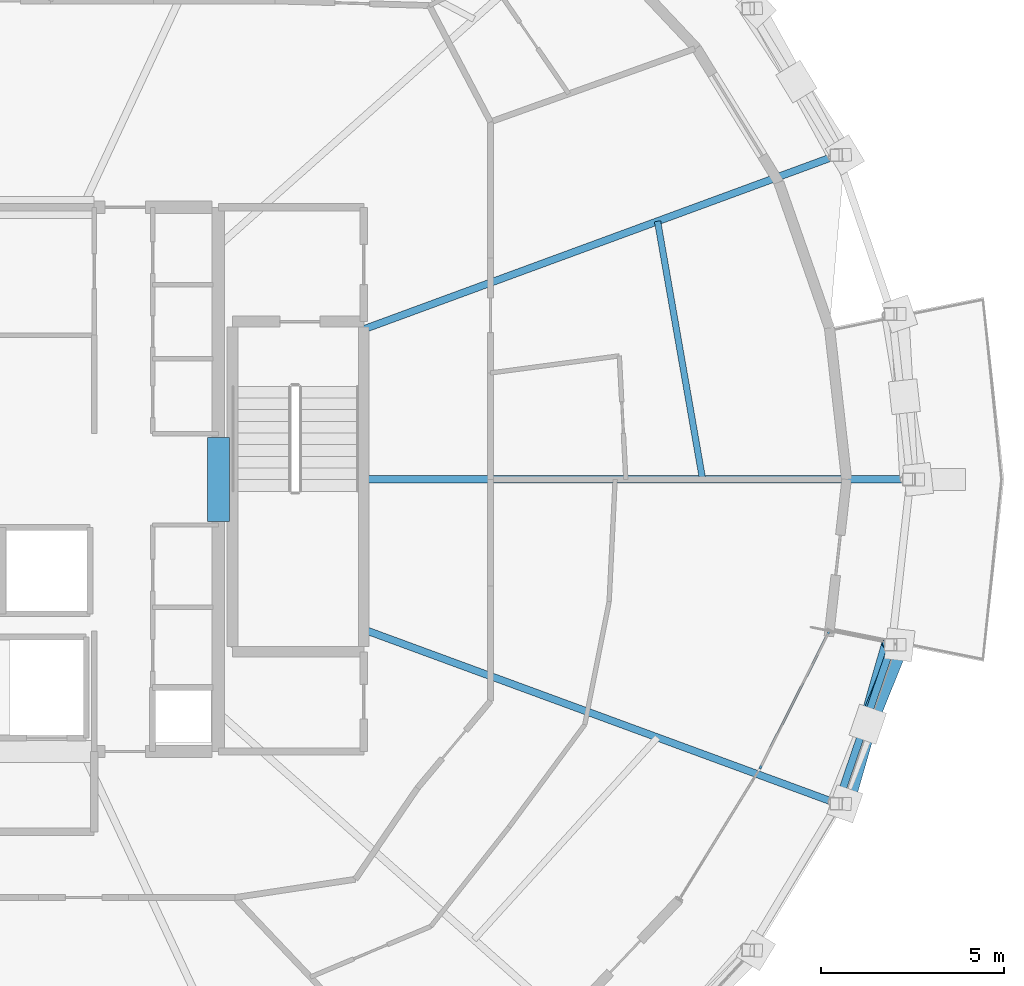
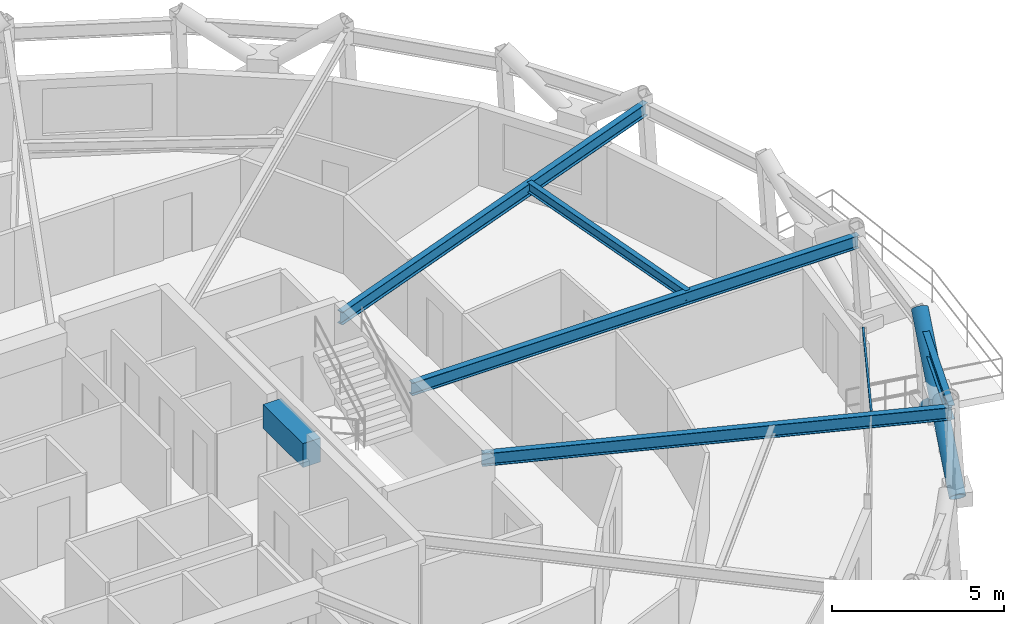
# One storey, part 5 of 14: 6 beams, 3 members, 1 element without a shape of its own.
"""IFC4 building model written with IfcOpenShell, lengths in metres."""

from ifc_helpers import new_model, si_unit, direction, frame, origin, origin_2d, place, context, subcontext, project, spatial, rectangle, hollow_rectangle, hollow_circle, i_section, extrude, material, layer, layer_set, material_profile, profile_set, type_object, element, aggregate, save


model = new_model("IFC4")

# Units and contexts
model_context = context("Model", 3, precision=1e-05, world=origin(), true_north=direction((0.0, 1.0)))
body_context = subcontext(model_context, "Body", "Model", "MODEL_VIEW")
ifc_project = project(units=[si_unit("LENGTHUNIT", "METRE"), si_unit("AREAUNIT", "SQUARE_METRE"), si_unit("VOLUMEUNIT", "CUBIC_METRE"), si_unit("PLANEANGLEUNIT", "RADIAN"), si_unit("MASSUNIT", "GRAM", prefix="KILO")], contexts=[model_context])

# Site, building, storey
site_placement = place(None, origin())
site = spatial("IfcSite", under=ifc_project, at=site_placement, CompositionType="ELEMENT")
building_placement = place(site_placement, origin())
building = spatial("IfcBuilding", under=site, at=building_placement, Name="Veldorina Hangang Commons", CompositionType="ELEMENT")
storey_placement = place(building_placement, frame((0.0, 0.0, 200.0)))
storey = spatial("IfcBuildingStorey", under=building, at=storey_placement, Name="L52", CompositionType="ELEMENT", Elevation=200.0)

# Beams
ifc_material_1 = material(Name="Concrete C60/75", Category="concrete")
ifc_material_profile_1 = material_profile(ifc_material_1, rectangle(XDim=0.60009765625, YDim=0.85009765625, at=origin_2d()), Name="RC-CB-600x850")
ifc_profile_set_1 = profile_set([ifc_material_profile_1], Name="Concrete C60/75")
beam_type_1 = type_object("IfcBeamType", Name="BM-CB850", PredefinedType="LINTEL", material=ifc_profile_set_1)
beam_1_placement = place(storey_placement, frame((39.199951171875, 22.85009765625, 2.875), z_axis=(0.0, 1.0, 0.0), x_axis=(-1.0, 0.0, 0.0)))
element("IfcBeam", 1, at=beam_1_placement, inside=storey, type_object=beam_type_1, Name="L52 E core coupling lintel beam", PredefinedType="LINTEL", context=body_context, shape_type="SweptSolid", body=[
    extrude(rectangle(XDim=0.60009765625, YDim=0.85009765625, at=origin_2d()), origin(), (0.0, 0.0, 1.0), 2.2998046875),
])
ifc_material_2 = material(Name="Steel SM355-TMC", Category="steel")
ifc_material_profile_2 = material_profile(ifc_material_2, i_section(OverallWidth=0.199951171875, OverallDepth=0.449951171875, WebThickness=0.009033203125, FlangeThickness=0.013916015625, FilletRadius=0.01611328125, at=origin_2d()), Name="H-450x200x9x14")
ifc_profile_set_2 = profile_set([ifc_material_profile_2], Name="Steel SM355-TMC")
beam_type_2 = type_object("IfcBeamType", Name="BM-FG450", PredefinedType="BEAM", material=ifc_profile_set_2)
beam_2_placement = place(storey_placement, frame((43.179931640625, 24.0, 3.074951171875), z_axis=(1.0, 0.0, 0.0), x_axis=(0.0, 1.0, 0.0)))
element("IfcBeam", 2, at=beam_2_placement, inside=storey, type_object=beam_type_2, Name="L52 radial floor girder 01", PredefinedType="BEAM", context=body_context, shape_type="SweptSolid", body=[
    extrude(i_section(OverallWidth=0.199951171875, OverallDepth=0.449951171875, WebThickness=0.009033203125, FlangeThickness=0.013916015625, FilletRadius=0.01611328125, at=origin_2d()), origin(), (0.0, 0.0, 1.0), 14.965087890625),
])
for number, where, z_axis, x_axis, name in (
    (3, (43.179931640625, 28.110107421875, 3.074951171875), (0.938582002063, 0.345056264113, 0.0), (-0.345056264113, 0.938582002063, 0.0), "L52 radial floor girder 02"),
    (4, (43.179931640625, 19.889892578125, 3.074951171875), (0.938582002063, -0.345056264113, 0.0), (0.345056264113, 0.938582002063, 0.0), "L52 radial floor girder 16"),
):
    element("IfcBeam", number, at=place(storey_placement, frame(where, z_axis=z_axis, x_axis=x_axis)), inside=storey, type_object=beam_type_2, Name=name, PredefinedType="BEAM", context=body_context, shape_type="SweptSolid", body=[
        extrude(i_section(OverallWidth=0.199951171875, OverallDepth=0.449951171875, WebThickness=0.009033203125, FlangeThickness=0.013916015625, FilletRadius=0.01611328125, at=origin_2d()), origin(), (0.0, 0.0, 1.0), 13.823974609375),
    ])
ifc_material_profile_3 = material_profile(ifc_material_2, i_section(OverallWidth=0.175048828125, OverallDepth=0.35009765625, WebThickness=0.007080078125, FlangeThickness=0.010986328125, FilletRadius=0.012939453125, at=origin_2d()), Name="H-350x175x7x11")
ifc_profile_set_3 = profile_set([ifc_material_profile_3], Name="Steel SM355-TMC")
beam_type_3 = type_object("IfcBeamType", Name="BM-JST350", PredefinedType="JOIST", material=ifc_profile_set_3)
beam_3_placement = place(storey_placement, frame((52.458251953125, 24.0, 3.125), z_axis=(-0.171987394841, 0.985099150348, 0.0), x_axis=(-0.985099150348, -0.171987394841, 0.0)))
element("IfcBeam", 5, at=beam_3_placement, inside=storey, type_object=beam_type_3, Name="L52 secondary floor joist 01", PredefinedType="JOIST", context=body_context, shape_type="SweptSolid", body=[
    extrude(i_section(OverallWidth=0.175048828125, OverallDepth=0.35009765625, WebThickness=0.007080078125, FlangeThickness=0.010986328125, FilletRadius=0.012939453125, at=origin_2d()), origin(), (0.0, 0.0, 1.0), 7.17431640625),
])
ifc_material_3 = material(Name="Steel SM420-TMC", Category="steel")
ifc_material_profile_4 = material_profile(ifc_material_3, i_section(OverallWidth=0.199951171875, OverallDepth=0.5, WebThickness=0.010009765625, FlangeThickness=0.01611328125, FilletRadius=0.01611328125, at=origin_2d()), Name="H-500x200x10x16")
ifc_profile_set_4 = profile_set([ifc_material_profile_4], Name="Steel SM420-TMC")
beam_type_4 = type_object("IfcBeamType", Name="BM-RB500", PredefinedType="BEAM", material=ifc_profile_set_4)
beam_4_placement = place(storey_placement, frame((56.15478515625, 15.119873046875, 3.050048828125), z_axis=(0.323415104722, 0.946257190217, 0.0), x_axis=(-0.946257190217, 0.323415104722, 0.0)))
element("IfcBeam", 6, at=beam_4_placement, inside=storey, type_object=beam_type_4, Name="L52 perimeter hoop ring beam 30", PredefinedType="BEAM", context=body_context, shape_type="SweptSolid", body=[
    extrude(i_section(OverallWidth=0.199951171875, OverallDepth=0.5, WebThickness=0.010009765625, FlangeThickness=0.01611328125, FilletRadius=0.01611328125, at=origin_2d()), origin(), (0.0, 0.0, 1.0), 4.600341796875),
])

# Curtain wall, member
ifc_material_4 = material(Name="Glass Low-E Triple IGU", Category="glass")
ifc_layer = layer(ifc_material_4, 0.179931640625)
ifc_layer_set = layer_set([ifc_layer], Name="Glass Low-E Triple IGU")
curtain_wall_type = type_object("IfcCurtainWallType", Name="CW-SYS-Z2", PredefinedType="NOTDEFINED", material=ifc_layer_set)
curtain_wall_placement = place(storey_placement, origin())
curtain_wall = element("IfcCurtainWall", 7, at=curtain_wall_placement, inside=storey, type_object=curtain_wall_type, Name="L52 unitised curtain wall CW-L52-R2", PredefinedType="NOTDEFINED")
ifc_material_5 = material(Name="Aluminium Anodized AA6063-T6", Category="aluminium")
ifc_material_profile_5 = material_profile(ifc_material_5, hollow_rectangle(XDim=0.06005859375, YDim=0.139892578125, WallThickness=0.00341796875, at=origin_2d()), Name="ALU-RHS-140x60x3.5")
ifc_profile_set_5 = profile_set([ifc_material_profile_5], Name="Aluminium Anodized AA6063-T6")
member_type_1 = type_object("IfcMemberType", Name="CW-TRN-140", PredefinedType="USERDEFINED", material=ifc_profile_set_5)
member_1_placement = place(storey_placement, frame((54.025634765625, 16.080322265625, 3.219970703125), z_axis=(0.450906202294, 0.892571339856, 0.0), x_axis=(-0.892571339856, 0.450906202294, 0.0)))
member_1 = element("IfcMember", 8, at=member_1_placement, type_object=member_type_1, Name="CW-L52-R2 facet 2 transom 1", ObjectType="TRANSOM", PredefinedType="USERDEFINED", context=body_context, shape_type="SweptSolid", body=[
    extrude(hollow_rectangle(XDim=0.06005859375, YDim=0.139892578125, WallThickness=0.00341796875, at=origin_2d()), origin(), (0.0, 0.0, 1.0), 4.22705078125),
])
aggregate(curtain_wall, [member_1])

# Members
ifc_material_profile_6 = material_profile(ifc_material_3, hollow_circle(Radius=0.25, WallThickness=0.02490234375, at=origin_2d()), Name="CHS-500x25")
ifc_profile_set_6 = profile_set([ifc_material_profile_6], Name="Steel SM420-TMC")
member_type_2 = type_object("IfcMemberType", Name="DG-CHS500", PredefinedType="BRACE", material=ifc_profile_set_6)
member_2_placement = place(storey_placement, frame((56.35400390625, 15.115966796875, 0.0), z_axis=(0.21601423518, 0.752718092443, 0.621894945717), x_axis=(-0.961202193743, 0.275844780163, 0.0)))
element("IfcMember", 9, at=member_2_placement, inside=storey, type_object=member_type_2, Name="L52 continuous perimeter diagrid brace 30", PredefinedType="BRACE", context=body_context, shape_type="SweptSolid", body=[
    extrude(hollow_circle(Radius=0.25, WallThickness=0.02490234375, at=origin_2d()), origin(), (0.0, 0.0, 1.0), 5.788818359375),
])
member_3_placement = place(storey_placement, frame((57.85400390625, 19.470947265625, 0.0), z_axis=(-0.295747565134, -0.735693747616, 0.609334134475), x_axis=(0.927836003007, -0.372988406687, 0.0)))
element("IfcMember", 10, at=member_3_placement, inside=storey, type_object=member_type_2, Name="L52 split perimeter diagrid lower brace 31", PredefinedType="BRACE", context=body_context, shape_type="SweptSolid", body=[
    extrude(hollow_circle(Radius=0.25, WallThickness=0.02490234375, at=origin_2d()), origin(), (0.0, 0.0, 1.0), 2.9560546875),
])

save(model, "model.ifc")
